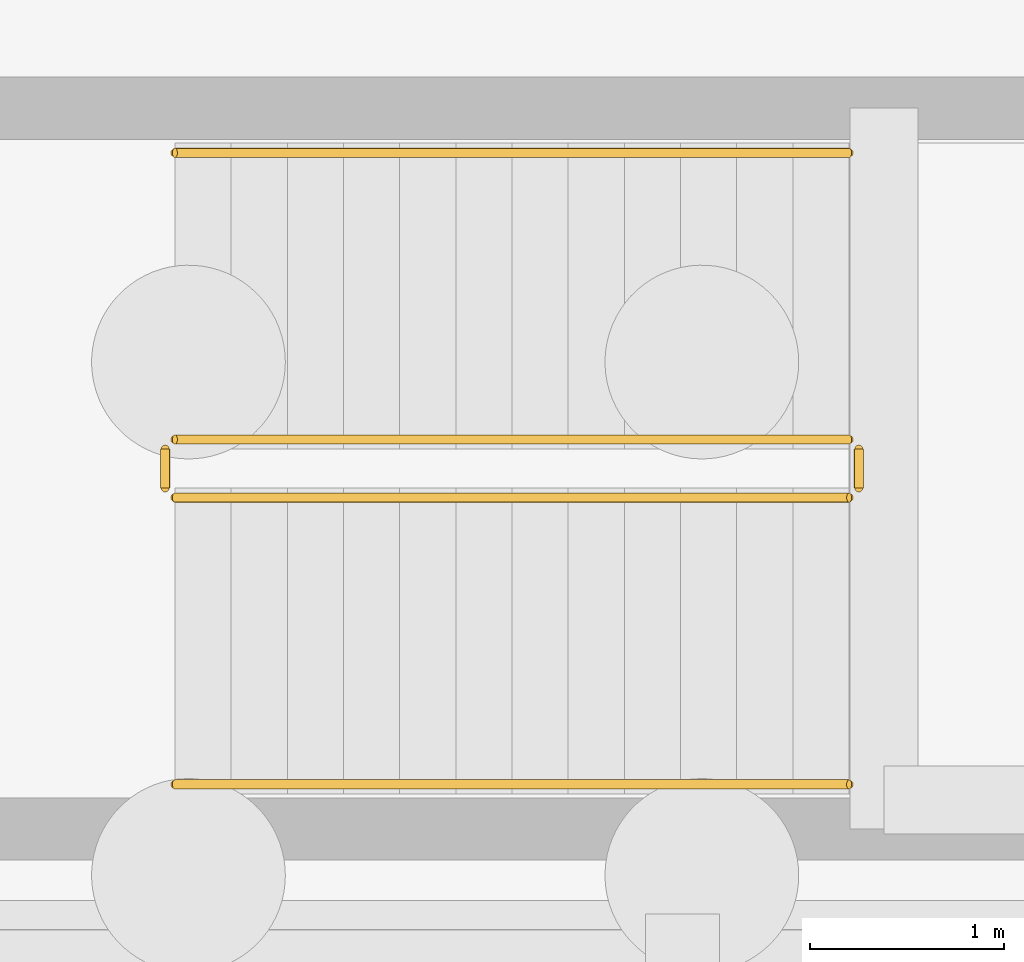
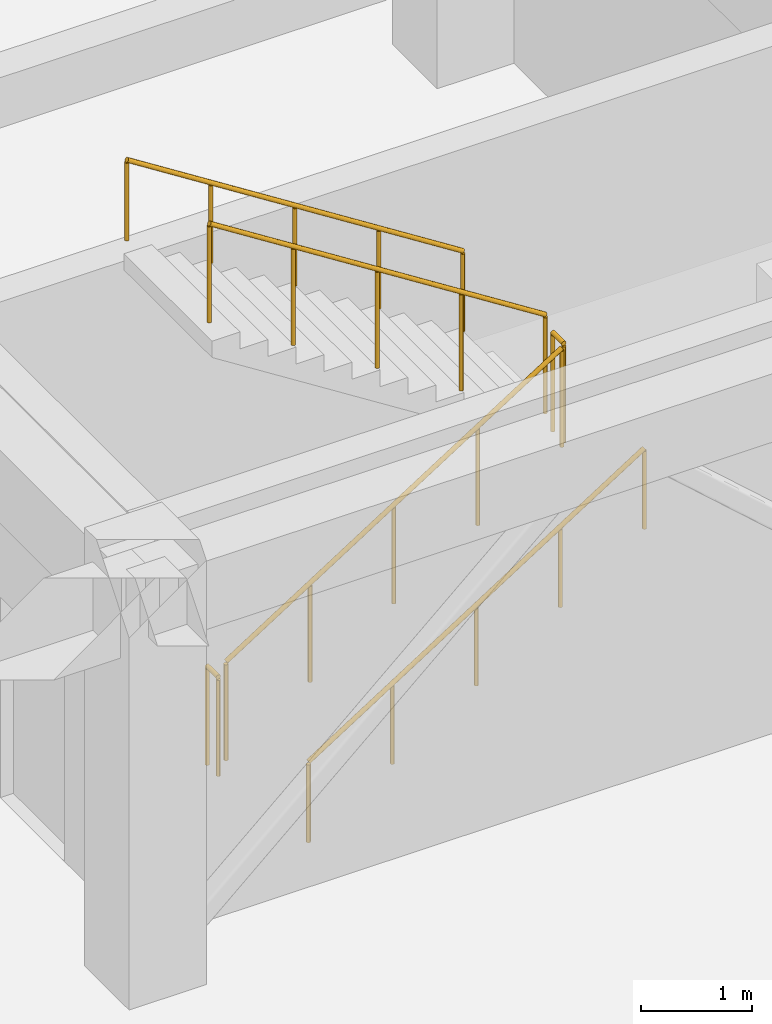
# One storey, part 31 of 37: 6 railings.
"""IFC4 building model written with IfcOpenShell, lengths in metres."""

from ifc_helpers import new_model, si_unit, direction, frame, origin, origin_2d, place, context, subcontext, project, spatial, circle, extrude, material, type_object, element, save


model = new_model("IFC4")

# Units and contexts
model_context = context("Model", 3, precision=1e-05, world=origin(), true_north=direction((0.0, 1.0)))
body_context = subcontext(model_context, "Body", "Model", "MODEL_VIEW")
ifc_project = project(units=[si_unit("LENGTHUNIT", "METRE"), si_unit("AREAUNIT", "SQUARE_METRE"), si_unit("VOLUMEUNIT", "CUBIC_METRE"), si_unit("PLANEANGLEUNIT", "RADIAN"), si_unit("MASSUNIT", "GRAM", prefix="KILO")], contexts=[model_context])

# Site, building, storey
site_placement = place(None, origin())
site = spatial("IfcSite", under=ifc_project, at=site_placement, CompositionType="ELEMENT")
building_placement = place(site_placement, origin())
building = spatial("IfcBuilding", under=site, at=building_placement, Name="Tarnavel Promenade Courthouse", CompositionType="ELEMENT")
storey_placement = place(building_placement, frame((0.0, 0.0, -4.800048828125)))
storey = spatial("IfcBuildingStorey", under=building, at=storey_placement, Name="B01", CompositionType="ELEMENT", Elevation=-4.800048828125)

# Railings
ifc_material_1 = material(Name="Brushed Bronze Tubular Stair Handrail")
railing_type_1 = type_object("IfcRailingType", Name="Brushed Bronze Tubular Stair Handrail (RL-HND-0900)", PredefinedType="HANDRAIL", material=ifc_material_1)
railing_1_placement = place(storey_placement, frame((11.780029296875, 75.25, 0.1845703125)))
element("IfcRailing", 1, at=railing_1_placement, inside=storey, type_object=railing_type_1, Name="B01 ST-04 stair handrail 1", PredefinedType="HANDRAIL", context=body_context, shape_type="SweptSolid", body=[
    extrude(circle(Radius=0.02392578125, at=origin_2d()), frame((0.0, 0.0, 0.8759765625), z_axis=(0.843546938479, 0.0, 0.53705545578), x_axis=(0.0, 1.0, 0.0)), (0.0, 0.0, 1.0), 4.12548828125),
    extrude(circle(Radius=0.02099609375, at=origin_2d()), origin(), (0.0, 0.0, 1.0), 0.851806640625),
    extrude(circle(Radius=0.02099609375, at=origin_2d()), frame((0.8701171875, 0.0, 0.553955078125)), (0.0, 0.0, 1.0), 0.851806640625),
    extrude(circle(Radius=0.02099609375, at=origin_2d()), frame((1.739990234375, 0.0, 1.10791015625)), (0.0, 0.0, 1.0), 0.851806640625),
    extrude(circle(Radius=0.02099609375, at=origin_2d()), frame((2.60986328125, 0.0, 1.66162109375)), (0.0, 0.0, 1.0), 0.851806640625),
    extrude(circle(Radius=0.02099609375, at=origin_2d()), frame((3.47998046875, 0.0, 2.215576171875)), (0.0, 0.0, 1.0), 0.851806640625),
])
railing_2_placement = place(storey_placement, frame((15.260009765625, 78.510009765625, 2.584716796875)))
element("IfcRailing", 2, at=railing_2_placement, inside=storey, type_object=railing_type_1, Name="B01 ST-04 stair handrail 2", PredefinedType="HANDRAIL", context=body_context, shape_type="SweptSolid", body=[
    extrude(circle(Radius=0.02392578125, at=origin_2d()), frame((0.0, 0.0, 0.8759765625), z_axis=(-0.843573748531, 0.0, 0.537013343214), x_axis=(0.0, -1.0, 0.0)), (0.0, 0.0, 1.0), 4.125244140625),
    extrude(circle(Radius=0.02099609375, at=origin_2d()), origin(), (0.0, 0.0, 1.0), 0.851806640625),
    extrude(circle(Radius=0.02099609375, at=origin_2d()), frame((-0.8701171875, 0.0, 0.5537109375)), (0.0, 0.0, 1.0), 0.851806640625),
    extrude(circle(Radius=0.02099609375, at=origin_2d()), frame((-1.739990234375, 0.0, 1.107666015625)), (0.0, 0.0, 1.0), 0.851806640625),
    extrude(circle(Radius=0.02099609375, at=origin_2d()), frame((-2.60986328125, 0.0, 1.66162109375)), (0.0, 0.0, 1.0), 0.851806640625),
    extrude(circle(Radius=0.02099609375, at=origin_2d()), frame((-3.47998046875, 0.0, 2.21533203125)), (0.0, 0.0, 1.0), 0.851806640625),
])
ifc_material_2 = material(Name="Painted Architectural Steel Core Stair Guardrail", Category="steel")
railing_type_2 = type_object("IfcRailingType", Name="Painted Architectural Steel Core Stair Guardrail (RL-GRD-1100)", PredefinedType="GUARDRAIL", material=ifc_material_2)
railing_3_placement = place(storey_placement, frame((11.780029296875, 76.72998046875, 0.1845703125)))
element("IfcRailing", 3, at=railing_3_placement, inside=storey, type_object=railing_type_2, Name="B01 ST-04 stair guard 1", PredefinedType="GUARDRAIL", context=body_context, shape_type="SweptSolid", body=[
    extrude(circle(Radius=0.02392578125, at=origin_2d()), frame((0.0, 0.0, 1.076171875), z_axis=(0.843546938479, 0.0, 0.53705545578), x_axis=(0.0, 1.0, 0.0)), (0.0, 0.0, 1.0), 4.12548828125),
    extrude(circle(Radius=0.02099609375, at=origin_2d()), origin(), (0.0, 0.0, 1.0), 1.052001953125),
    extrude(circle(Radius=0.02099609375, at=origin_2d()), frame((0.8701171875, 0.0, 0.553955078125)), (0.0, 0.0, 1.0), 1.052001953125),
    extrude(circle(Radius=0.02099609375, at=origin_2d()), frame((1.739990234375, 0.0, 1.10791015625)), (0.0, 0.0, 1.0), 1.052001953125),
    extrude(circle(Radius=0.02099609375, at=origin_2d()), frame((2.60986328125, 0.0, 1.66162109375)), (0.0, 0.0, 1.0), 1.052001953125),
    extrude(circle(Radius=0.02099609375, at=origin_2d()), frame((3.47998046875, 0.0, 2.215576171875)), (0.0, 0.0, 1.0), 1.052001953125),
])
railing_4_placement = place(storey_placement, frame((15.31005859375, 76.780029296875, 2.400146484375)))
element("IfcRailing", 4, at=railing_4_placement, inside=storey, type_object=railing_type_2, Name="B01 ST-04 stair guard 2", PredefinedType="GUARDRAIL", context=body_context, shape_type="SweptSolid", body=[
    extrude(circle(Radius=0.02392578125, at=origin_2d()), frame((0.0, 0.0, 1.076171875), z_axis=(0.0, 1.0, 0.0), x_axis=(-1.0, 0.0, 0.0)), (0.0, 0.0, 1.0), 0.199951171875),
    extrude(circle(Radius=0.02099609375, at=origin_2d()), origin(), (0.0, 0.0, 1.0), 1.052001953125),
    extrude(circle(Radius=0.02099609375, at=origin_2d()), frame((0.0, 0.199951171875, 0.0)), (0.0, 0.0, 1.0), 1.052001953125),
])
railing_5_placement = place(storey_placement, frame((15.260009765625, 77.030029296875, 2.584716796875)))
element("IfcRailing", 5, at=railing_5_placement, inside=storey, type_object=railing_type_2, Name="B01 ST-04 stair guard 3", PredefinedType="GUARDRAIL", context=body_context, shape_type="SweptSolid", body=[
    extrude(circle(Radius=0.02392578125, at=origin_2d()), frame((0.0, 0.0, 1.076171875), z_axis=(-0.843573748531, 0.0, 0.537013343214), x_axis=(0.0, -1.0, 0.0)), (0.0, 0.0, 1.0), 4.125244140625),
    extrude(circle(Radius=0.02099609375, at=origin_2d()), origin(), (0.0, 0.0, 1.0), 1.052001953125),
    extrude(circle(Radius=0.02099609375, at=origin_2d()), frame((-0.8701171875, 0.0, 0.5537109375)), (0.0, 0.0, 1.0), 1.052001953125),
    extrude(circle(Radius=0.02099609375, at=origin_2d()), frame((-1.739990234375, 0.0, 1.107666015625)), (0.0, 0.0, 1.0), 1.052001953125),
    extrude(circle(Radius=0.02099609375, at=origin_2d()), frame((-2.60986328125, 0.0, 1.66162109375)), (0.0, 0.0, 1.0), 1.052001953125),
    extrude(circle(Radius=0.02099609375, at=origin_2d()), frame((-3.47998046875, 0.0, 2.21533203125)), (0.0, 0.0, 1.0), 1.052001953125),
])
railing_6_placement = place(storey_placement, frame((11.72998046875, 76.780029296875, 0.0)))
element("IfcRailing", 6, at=railing_6_placement, inside=storey, type_object=railing_type_2, Name="B01 ST-04 stair guard 4", PredefinedType="GUARDRAIL", context=body_context, shape_type="SweptSolid", body=[
    extrude(circle(Radius=0.02392578125, at=origin_2d()), frame((0.0, 0.0, 1.076171875), z_axis=(0.0, 1.0, 0.0), x_axis=(-1.0, 0.0, 0.0)), (0.0, 0.0, 1.0), 0.199951171875),
    extrude(circle(Radius=0.02099609375, at=origin_2d()), origin(), (0.0, 0.0, 1.0), 1.052001953125),
    extrude(circle(Radius=0.02099609375, at=origin_2d()), frame((0.0, 0.199951171875, 0.0)), (0.0, 0.0, 1.0), 1.052001953125),
])

save(model, "model.ifc")
